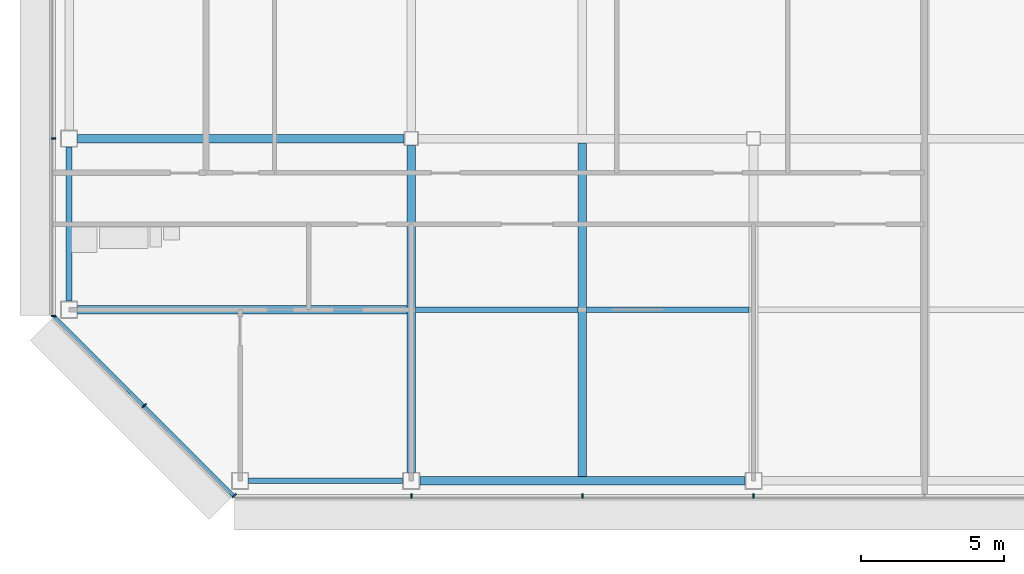
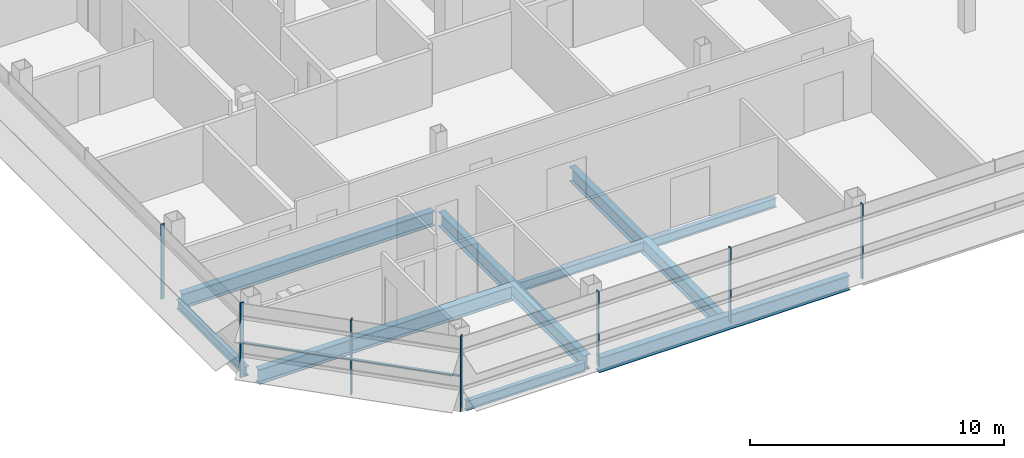
# One storey, part 3 of 30: 9 beams, 8 members, 3 elements without a shape of their own.
"""IFC4 building model written with IfcOpenShell, lengths in metres."""

from ifc_helpers import new_model, si_unit, direction, frame, origin, origin_2d, place, context, subcontext, project, spatial, rectangle, i_section, extrude, material, material_profile, profile_set, type_object, element, aggregate, save


model = new_model("IFC4")

# Units and contexts
model_context = context("Model", 3, precision=1e-05, world=origin(), true_north=direction((0.0, 1.0)))
body_context = subcontext(model_context, "Body", "Model", "MODEL_VIEW")
ifc_project = project(units=[si_unit("LENGTHUNIT", "METRE"), si_unit("AREAUNIT", "SQUARE_METRE"), si_unit("VOLUMEUNIT", "CUBIC_METRE"), si_unit("PLANEANGLEUNIT", "RADIAN"), si_unit("MASSUNIT", "GRAM", prefix="KILO")], contexts=[model_context])

# Site, building, storey
site_placement = place(None, origin())
site = spatial("IfcSite", under=ifc_project, at=site_placement, CompositionType="ELEMENT")
building_placement = place(site_placement, origin())
building = spatial("IfcBuilding", under=site, at=building_placement, Name="Sorahane Residences", CompositionType="ELEMENT")
storey_placement = place(building_placement, frame((0.0, 0.0, 263.0)))
storey = spatial("IfcBuildingStorey", under=building, at=storey_placement, Name="L62", CompositionType="ELEMENT", Elevation=263.0)

# Curtain wall, members
ifc_material_1 = material(Name="Dark low-e glass and black anodised aluminium", Category="aluminium")
curtain_wall_type_1 = type_object("IfcCurtainWallType", Name="Curtain wall CW-1 Typical unitised wall", PredefinedType="NOTDEFINED", material=ifc_material_1)
curtain_wall_1_placement = place(storey_placement, origin())
curtain_wall_1 = element("IfcCurtainWall", 1, at=curtain_wall_1_placement, inside=storey, type_object=curtain_wall_type_1, Name="CW-1 curtain wall L62 S1", PredefinedType="NOTDEFINED")
ifc_material_2 = material(Name="Black anodised aluminium", Category="aluminium")
ifc_material_profile_1 = material_profile(ifc_material_2, rectangle(XDim=0.159912109375, YDim=0.050048828125, at=origin_2d()), Name="Curtain wall mullion CW-1 black anodised aluminium 50x160")
ifc_profile_set_1 = profile_set([ifc_material_profile_1], Name="Black anodised aluminium")
member_type_1 = type_object("IfcMemberType", Name="Curtain wall mullion CW-1 black anodised aluminium 50x160", PredefinedType="MULLION", material=ifc_profile_set_1)
member_1_placement = place(storey_placement, frame((0.0, -0.5400390625, -0.179931640625), z_axis=(0.0, 0.0, 1.0), x_axis=(0.0, -1.0, 0.0)))
member_1 = element("IfcMember", 2, at=member_1_placement, type_object=member_type_1, Name="CW-1 mullion L62 S1.2", PredefinedType="MULLION", context=body_context, shape_type="SweptSolid", body=[
    extrude(rectangle(XDim=0.159912109375, YDim=0.050048828125, at=origin_2d()), origin(), (0.0, 0.0, 1.0), 3.599853515625),
])
member_2_placement = place(storey_placement, frame((6.0, -0.5400390625, -0.179931640625), z_axis=(0.0, 0.0, 1.0), x_axis=(0.0, -1.0, 0.0)))
member_2 = element("IfcMember", 3, at=member_2_placement, type_object=member_type_1, Name="CW-1 mullion L62 S1.3", PredefinedType="MULLION", context=body_context, shape_type="SweptSolid", body=[
    extrude(rectangle(XDim=0.159912109375, YDim=0.050048828125, at=origin_2d()), origin(), (0.0, 0.0, 1.0), 3.599853515625),
])
member_3_placement = place(storey_placement, frame((12.0, -0.5400390625, -0.179931640625), z_axis=(0.0, 0.0, 1.0), x_axis=(0.0, -1.0, 0.0)))
member_3 = element("IfcMember", 4, at=member_3_placement, type_object=member_type_1, Name="CW-1 mullion L62 S1.4", PredefinedType="MULLION", context=body_context, shape_type="SweptSolid", body=[
    extrude(rectangle(XDim=0.159912109375, YDim=0.050048828125, at=origin_2d()), origin(), (0.0, 0.0, 1.0), 3.599853515625),
])
aggregate(curtain_wall_1, [member_1, member_2, member_3])

curtain_wall_2_placement = place(storey_placement, origin())
curtain_wall_2 = element("IfcCurtainWall", 5, at=curtain_wall_2_placement, inside=storey, type_object=curtain_wall_type_1, Name="CW-1 curtain wall L62 W2", PredefinedType="NOTDEFINED")
member_4_placement = place(storey_placement, frame((-12.5400390625, 12.0, -0.179931640625), z_axis=(0.0, 0.0, 1.0), x_axis=(-1.0, 0.0, 0.0)))
member_4 = element("IfcMember", 6, at=member_4_placement, type_object=member_type_1, Name="CW-1 mullion L62 W2.6", PredefinedType="MULLION", context=body_context, shape_type="SweptSolid", body=[
    extrude(rectangle(XDim=0.159912109375, YDim=0.050048828125, at=origin_2d()), origin(), (0.0, 0.0, 1.0), 3.599853515625),
])
member_5_placement = place(storey_placement, frame((-12.5400390625, 5.7763671875, -0.179931640625), z_axis=(0.0, 0.0, 1.0), x_axis=(-1.0, 0.0, 0.0)))
member_5 = element("IfcMember", 7, at=member_5_placement, type_object=member_type_1, Name="CW-1 mullion L62 W2.7", PredefinedType="MULLION", context=body_context, shape_type="SweptSolid", body=[
    extrude(rectangle(XDim=0.159912109375, YDim=0.050048828125, at=origin_2d()), origin(), (0.0, 0.0, 1.0), 3.599853515625),
])
aggregate(curtain_wall_2, [member_4, member_5])

ifc_material_3 = material(Name="Dark low-e glass and black anodised aluminium", Category="aluminium")
curtain_wall_type_2 = type_object("IfcCurtainWallType", Name="Curtain wall CW-2 Chamfer unitised wall", PredefinedType="NOTDEFINED", material=ifc_material_3)
curtain_wall_3_placement = place(storey_placement, origin())
curtain_wall_3 = element("IfcCurtainWall", 8, at=curtain_wall_3_placement, inside=storey, type_object=curtain_wall_type_2, Name="CW-2 curtain wall L62 SW1", PredefinedType="NOTDEFINED")
ifc_material_4 = material(Name="Black anodised aluminium", Category="aluminium")
ifc_material_profile_2 = material_profile(ifc_material_4, rectangle(XDim=0.199951171875, YDim=0.050048828125, at=origin_2d()), Name="Curtain wall mullion CW-2 black anodised aluminium 50x200")
ifc_profile_set_2 = profile_set([ifc_material_profile_2], Name="Black anodised aluminium")
member_type_2 = type_object("IfcMemberType", Name="Curtain wall mullion CW-2 black anodised aluminium 50x200", PredefinedType="MULLION", material=ifc_profile_set_2)
member_6_placement = place(storey_placement, frame((-9.36767578125, 2.63232421875, -0.179931640625), z_axis=(0.0, 0.0, 1.0), x_axis=(-0.707106781187, -0.707106781187, 0.0)))
member_6 = element("IfcMember", 9, at=member_6_placement, type_object=member_type_2, Name="CW-2 mullion L62 SW1.2", PredefinedType="MULLION", context=body_context, shape_type="SweptSolid", body=[
    extrude(rectangle(XDim=0.199951171875, YDim=0.050048828125, at=origin_2d()), origin(), (0.0, 0.0, 1.0), 3.599853515625),
])
member_7_placement = place(storey_placement, frame((-6.209716796875, -0.525634765625, -0.179931640625), z_axis=(0.0, 0.0, 1.0), x_axis=(-0.707106781187, -0.707106781187, 0.0)))
member_7 = element("IfcMember", 10, at=member_7_placement, type_object=member_type_2, Name="CW-2 mullion L62 SW1.3", PredefinedType="MULLION", context=body_context, shape_type="SweptSolid", body=[
    extrude(rectangle(XDim=0.199951171875, YDim=0.050048828125, at=origin_2d()), origin(), (0.0, 0.0, 1.0), 3.599853515625),
])
ifc_material_5 = material(Name="Black anodised aluminium", Category="aluminium")
ifc_material_profile_3 = material_profile(ifc_material_5, rectangle(XDim=0.10009765625, YDim=0.06005859375, at=origin_2d()), Name="Curtain wall transom CW-2 black anodised aluminium 60x100")
ifc_profile_set_3 = profile_set([ifc_material_profile_3], Name="Black anodised aluminium")
member_type_3 = type_object("IfcMemberType", Name="Curtain wall transom CW-2 black anodised aluminium 60x100", PredefinedType="USERDEFINED", material=ifc_profile_set_3)
member_8_placement = place(storey_placement, frame((-12.51513671875, 5.765625, 1.5), z_axis=(0.707106781187, -0.707106781187, 0.0), x_axis=(0.707106781187, 0.707106781187, 0.0)))
member_8 = element("IfcMember", 11, at=member_8_placement, type_object=member_type_3, Name="CW-2 transom L62 SW1", ObjectType="TRANSOM", PredefinedType="USERDEFINED", context=body_context, shape_type="SweptSolid", body=[
    extrude(rectangle(XDim=0.10009765625, YDim=0.06005859375, at=origin_2d()), origin(), (0.0, 0.0, 1.0), 8.88232421875),
])
aggregate(curtain_wall_3, [member_6, member_7, member_8])

# Beams
ifc_material_6 = material(Name="Steel Q355B", Category="steel")
ifc_material_profile_4 = material_profile(ifc_material_6, i_section(OverallWidth=0.199951171875, OverallDepth=0.449951171875, WebThickness=0.009033203125, FlangeThickness=0.013916015625, FilletRadius=0.02001953125, at=origin_2d()), Name="HN 450x200x9x14")
ifc_profile_set_4 = profile_set([ifc_material_profile_4], Name="Steel Q355B")
beam_type_1 = type_object("IfcBeamType", Name="Steel floor beam HN 450x200x9x14 Q355B", PredefinedType="BEAM", material=ifc_profile_set_4)
for number, where, z_axis, x_axis, name in (
    (12, (-5.699951171875, 0.0, -0.405029296875), (1.0, 0.0, 0.0), (0.0, 1.0, 0.0), "Beam L62 000"),
    (13, (-12.0, 6.300048828125, -0.405029296875), (0.0, 1.0, 0.0), (-1.0, 0.0, 0.0), "Beam L62 019"),
):
    element("IfcBeam", number, at=place(storey_placement, frame(where, z_axis=z_axis, x_axis=x_axis)), inside=storey, type_object=beam_type_1, Name=name, PredefinedType="BEAM", context=body_context, shape_type="SweptSolid", body=[
        extrude(i_section(OverallWidth=0.199951171875, OverallDepth=0.449951171875, WebThickness=0.009033203125, FlangeThickness=0.013916015625, FilletRadius=0.02001953125, at=origin_2d()), origin(), (0.0, 0.0, 1.0), 5.39990234375),
    ])
for number, where, z_axis, x_axis, name in (
    (14, (0.14990234375, 6.0, -0.405029296875), (1.0, 0.0, 0.0), (0.0, 1.0, 0.0), "Beam L62 066"),
    (15, (6.14990234375, 6.0, -0.405029296875), (1.0, 0.0, 0.0), (0.0, 1.0, 0.0), "Beam L62 067"),
):
    element("IfcBeam", number, at=place(storey_placement, frame(where, z_axis=z_axis, x_axis=x_axis)), inside=storey, type_object=beam_type_1, Name=name, PredefinedType="BEAM", context=body_context, shape_type="SweptSolid", body=[
        extrude(i_section(OverallWidth=0.199951171875, OverallDepth=0.449951171875, WebThickness=0.009033203125, FlangeThickness=0.013916015625, FilletRadius=0.02001953125, at=origin_2d()), origin(), (0.0, 0.0, 1.0), 5.7001953125),
    ])
ifc_material_7 = material(Name="Steel Q355B", Category="steel")
ifc_material_profile_5 = material_profile(ifc_material_7, i_section(OverallWidth=0.300048828125, OverallDepth=0.699951171875, WebThickness=0.012939453125, FlangeThickness=0.02392578125, FilletRadius=0.028076171875, at=origin_2d()), Name="HN 700x300x13x24")
ifc_profile_set_5 = profile_set([ifc_material_profile_5], Name="Steel Q355B")
beam_type_2 = type_object("IfcBeamType", Name="Steel floor beam HN 700x300x13x24 Q355B", PredefinedType="BEAM", material=ifc_profile_set_5)
beam_1_placement = place(storey_placement, frame((0.300048828125, 0.0, -0.530029296875), z_axis=(1.0, 0.0, 0.0), x_axis=(0.0, 1.0, 0.0)))
element("IfcBeam", 16, at=beam_1_placement, inside=storey, type_object=beam_type_2, Name="Beam L62 001", PredefinedType="BEAM", context=body_context, shape_type="SweptSolid", body=[
    extrude(i_section(OverallWidth=0.300048828125, OverallDepth=0.699951171875, WebThickness=0.012939453125, FlangeThickness=0.02392578125, FilletRadius=0.028076171875, at=origin_2d()), origin(), (0.0, 0.0, 1.0), 11.39990234375),
])
for number, where, z_axis, x_axis, name in (
    (17, (-11.699951171875, 12.0, -0.530029296875), (1.0, 0.0, 0.0), (0.0, 1.0, 0.0), "Beam L62 004"),
    (18, (0.0, 0.300048828125, -0.530029296875), (0.0, 1.0, 0.0), (-1.0, 0.0, 0.0), "Beam L62 023"),
):
    element("IfcBeam", number, at=place(storey_placement, frame(where, z_axis=z_axis, x_axis=x_axis)), inside=storey, type_object=beam_type_2, Name=name, PredefinedType="BEAM", context=body_context, shape_type="SweptSolid", body=[
        extrude(i_section(OverallWidth=0.300048828125, OverallDepth=0.699951171875, WebThickness=0.012939453125, FlangeThickness=0.02392578125, FilletRadius=0.028076171875, at=origin_2d()), origin(), (0.0, 0.0, 1.0), 11.449951171875),
    ])
beam_2_placement = place(storey_placement, frame((6.0, 0.14990234375, -0.530029296875), z_axis=(0.0, 1.0, 0.0), x_axis=(-1.0, 0.0, 0.0)))
element("IfcBeam", 19, at=beam_2_placement, inside=storey, type_object=beam_type_2, Name="Beam L62 027", PredefinedType="BEAM", context=body_context, shape_type="SweptSolid", body=[
    extrude(i_section(OverallWidth=0.300048828125, OverallDepth=0.699951171875, WebThickness=0.012939453125, FlangeThickness=0.02392578125, FilletRadius=0.028076171875, at=origin_2d()), origin(), (0.0, 0.0, 1.0), 11.7001953125),
])
beam_3_placement = place(storey_placement, frame((-11.699951171875, 6.0, -0.530029296875), z_axis=(1.0, 0.0, 0.0), x_axis=(0.0, 1.0, 0.0)))
element("IfcBeam", 20, at=beam_3_placement, inside=storey, type_object=beam_type_2, Name="Beam L62 065", PredefinedType="BEAM", context=body_context, shape_type="SweptSolid", body=[
    extrude(i_section(OverallWidth=0.300048828125, OverallDepth=0.699951171875, WebThickness=0.012939453125, FlangeThickness=0.02392578125, FilletRadius=0.028076171875, at=origin_2d()), origin(), (0.0, 0.0, 1.0), 11.550048828125),
])

save(model, "model.ifc")
